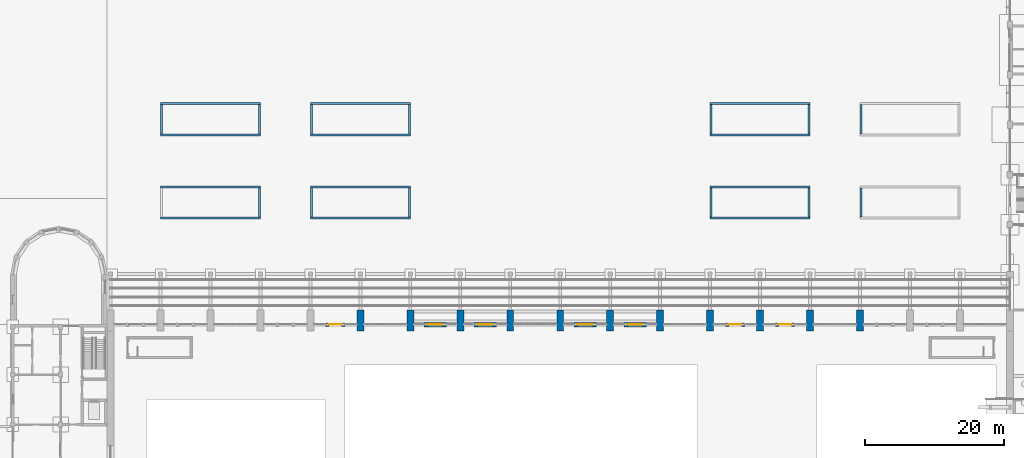
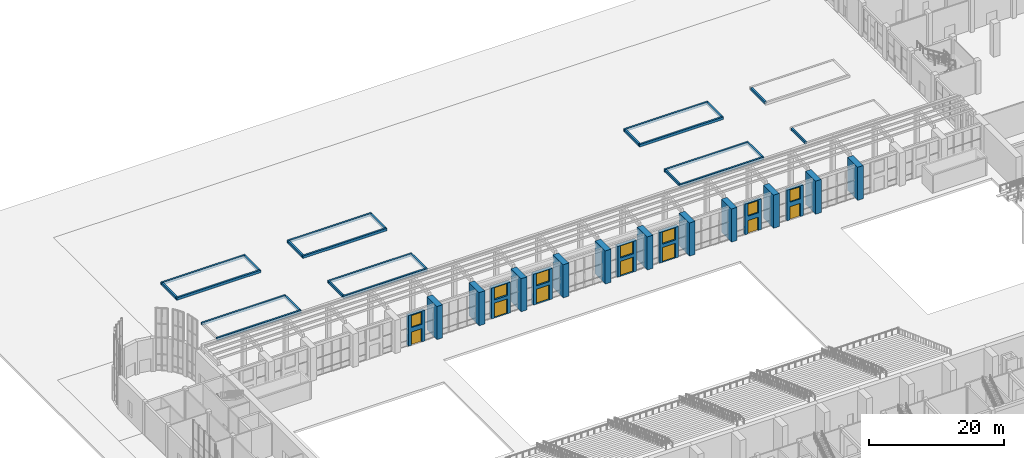
# One storey, part 46 of 70: 43 walls, 7 doors, 7 windows, 14 openings.
"""IFC4 building model written with IfcOpenShell, lengths in metres."""

from ifc_helpers import new_model, si_unit, direction, frame, frame_2d, origin, place, context, subcontext, project, spatial, rectangle, extrude, material, layer, layer_set, type_object, element, fill, save


model = new_model("IFC4")

# Units and contexts
model_context = context("Model", 3, precision=1e-05, world=origin(), true_north=direction((0.0, 1.0)))
body_context = subcontext(model_context, "Body", "Model", "MODEL_VIEW")
ifc_project = project(units=[si_unit("LENGTHUNIT", "METRE"), si_unit("AREAUNIT", "SQUARE_METRE"), si_unit("VOLUMEUNIT", "CUBIC_METRE"), si_unit("PLANEANGLEUNIT", "RADIAN"), si_unit("MASSUNIT", "GRAM", prefix="KILO")], contexts=[model_context])

# Site, building, storey
site_placement = place(None, origin())
site = spatial("IfcSite", under=ifc_project, at=site_placement, CompositionType="ELEMENT")
building_placement = place(site_placement, origin())
building = spatial("IfcBuilding", under=site, at=building_placement, Name="Vermilion Court Aquatics Centre", CompositionType="ELEMENT")
storey_placement = place(building_placement, origin())
storey = spatial("IfcBuildingStorey", under=building, at=storey_placement, Name="L00", CompositionType="ELEMENT", Elevation=0.0)

# Walls
ifc_material_1 = material(Name="Brick masonry", Category="masonry")
ifc_layer_1 = layer(ifc_material_1, 0.300048828125)
ifc_layer_set_1 = layer_set([ifc_layer_1], Name="Court planting kerb 300")
wall_type_1 = type_object("IfcWallType", Name="Court planting kerb 300", PredefinedType="SOLIDWALL", material=ifc_layer_set_1)
for number, where, z_axis, x_axis, name in (
    (1, (21.60009765625, 80.14990234375, 0.0), (0.0, 0.0, 1.0), (1.0, 0.0, 0.0), "Planting bed 1 kerb"),
    (2, (21.60009765625, 84.64990234375, 0.0), (0.0, 0.0, 1.0), (1.0, 0.0, 0.0), "Planting bed 1 kerb"),
):
    element("IfcWall", number, at=place(storey_placement, frame(where, z_axis=z_axis, x_axis=x_axis)), inside=storey, type_object=wall_type_1, Name=name, PredefinedType="SOLIDWALL", context=body_context, shape_type="SweptSolid", body=[
        extrude(rectangle(XDim=14.39990234375, YDim=0.300048828125, at=frame_2d((7.199951171875, 0.0))), origin(), (0.0, 0.0, 1.0), 0.449951171875),
    ])
wall_1_placement = place(storey_placement, frame((35.85009765625, 80.300048828125, 0.0), z_axis=(0.0, 0.0, 1.0), x_axis=(0.0, 1.0, 0.0)))
element("IfcWall", 3, at=wall_1_placement, inside=storey, type_object=wall_type_1, Name="Planting bed 1 kerb", PredefinedType="SOLIDWALL", context=body_context, shape_type="SweptSolid", body=[
    extrude(rectangle(XDim=4.199951171875, YDim=0.300048828125, at=frame_2d((2.10009765625, 0.0))), origin(), (0.0, 0.0, 1.0), 0.449951171875),
])
for number, where, z_axis, x_axis, name in (
    (4, (43.199951171875, 80.14990234375, 0.0), (0.0, 0.0, 1.0), (1.0, 0.0, 0.0), "Planting bed 2 kerb"),
    (5, (43.199951171875, 84.64990234375, 0.0), (0.0, 0.0, 1.0), (1.0, 0.0, 0.0), "Planting bed 2 kerb"),
):
    element("IfcWall", number, at=place(storey_placement, frame(where, z_axis=z_axis, x_axis=x_axis)), inside=storey, type_object=wall_type_1, Name=name, PredefinedType="SOLIDWALL", context=body_context, shape_type="SweptSolid", body=[
        extrude(rectangle(XDim=14.400146484375, YDim=0.300048828125, at=frame_2d((7.2001953125, 0.0))), origin(), (0.0, 0.0, 1.0), 0.449951171875),
    ])
for number, where, z_axis, x_axis, name in (
    (6, (43.35009765625, 80.300048828125, 0.0), (0.0, 0.0, 1.0), (0.0, 1.0, 0.0), "Planting bed 2 kerb"),
    (7, (57.449951171875, 80.300048828125, 0.0), (0.0, 0.0, 1.0), (0.0, 1.0, 0.0), "Planting bed 2 kerb"),
):
    element("IfcWall", number, at=place(storey_placement, frame(where, z_axis=z_axis, x_axis=x_axis)), inside=storey, type_object=wall_type_1, Name=name, PredefinedType="SOLIDWALL", context=body_context, shape_type="SweptSolid", body=[
        extrude(rectangle(XDim=4.199951171875, YDim=0.300048828125, at=frame_2d((2.10009765625, 0.0))), origin(), (0.0, 0.0, 1.0), 0.449951171875),
    ])
for number, where, z_axis, x_axis, name in (
    (8, (100.800048828125, 80.14990234375, 0.0), (0.0, 0.0, 1.0), (1.0, 0.0, 0.0), "Planting bed 3 kerb"),
    (9, (100.800048828125, 84.64990234375, 0.0), (0.0, 0.0, 1.0), (1.0, 0.0, 0.0), "Planting bed 3 kerb"),
):
    element("IfcWall", number, at=place(storey_placement, frame(where, z_axis=z_axis, x_axis=x_axis)), inside=storey, type_object=wall_type_1, Name=name, PredefinedType="SOLIDWALL", context=body_context, shape_type="SweptSolid", body=[
        extrude(rectangle(XDim=14.39990234375, YDim=0.300048828125, at=frame_2d((7.199951171875, 0.0))), origin(), (0.0, 0.0, 1.0), 0.449951171875),
    ])
for number, where, z_axis, x_axis, name in (
    (10, (100.949951171875, 80.300048828125, 0.0), (0.0, 0.0, 1.0), (0.0, 1.0, 0.0), "Planting bed 3 kerb"),
    (11, (115.050048828125, 80.300048828125, 0.0), (0.0, 0.0, 1.0), (0.0, 1.0, 0.0), "Planting bed 3 kerb"),
    (12, (122.550048828125, 80.300048828125, 0.0), (0.0, 0.0, 1.0), (0.0, 1.0, 0.0), "Planting bed 4 kerb"),
):
    element("IfcWall", number, at=place(storey_placement, frame(where, z_axis=z_axis, x_axis=x_axis)), inside=storey, type_object=wall_type_1, Name=name, PredefinedType="SOLIDWALL", context=body_context, shape_type="SweptSolid", body=[
        extrude(rectangle(XDim=4.199951171875, YDim=0.300048828125, at=frame_2d((2.10009765625, 0.0))), origin(), (0.0, 0.0, 1.0), 0.449951171875),
    ])
for number, where, z_axis, x_axis, name in (
    (13, (21.60009765625, 92.14990234375, 0.0), (0.0, 0.0, 1.0), (1.0, 0.0, 0.0), "Planting bed 5 kerb"),
    (14, (21.60009765625, 96.64990234375, 0.0), (0.0, 0.0, 1.0), (1.0, 0.0, 0.0), "Planting bed 5 kerb"),
):
    element("IfcWall", number, at=place(storey_placement, frame(where, z_axis=z_axis, x_axis=x_axis)), inside=storey, type_object=wall_type_1, Name=name, PredefinedType="SOLIDWALL", context=body_context, shape_type="SweptSolid", body=[
        extrude(rectangle(XDim=14.39990234375, YDim=0.300048828125, at=frame_2d((7.199951171875, 0.0))), origin(), (0.0, 0.0, 1.0), 0.449951171875),
    ])
for number, where, z_axis, x_axis, name in (
    (15, (21.75, 92.300048828125, 0.0), (0.0, 0.0, 1.0), (0.0, 1.0, 0.0), "Planting bed 5 kerb"),
    (16, (35.85009765625, 92.300048828125, 0.0), (0.0, 0.0, 1.0), (0.0, 1.0, 0.0), "Planting bed 5 kerb"),
):
    element("IfcWall", number, at=place(storey_placement, frame(where, z_axis=z_axis, x_axis=x_axis)), inside=storey, type_object=wall_type_1, Name=name, PredefinedType="SOLIDWALL", context=body_context, shape_type="SweptSolid", body=[
        extrude(rectangle(XDim=4.199951171875, YDim=0.300048828125, at=frame_2d((2.10009765625, 0.0))), origin(), (0.0, 0.0, 1.0), 0.449951171875),
    ])
for number, where, z_axis, x_axis, name in (
    (17, (43.199951171875, 92.14990234375, 0.0), (0.0, 0.0, 1.0), (1.0, 0.0, 0.0), "Planting bed 6 kerb"),
    (18, (43.199951171875, 96.64990234375, 0.0), (0.0, 0.0, 1.0), (1.0, 0.0, 0.0), "Planting bed 6 kerb"),
):
    element("IfcWall", number, at=place(storey_placement, frame(where, z_axis=z_axis, x_axis=x_axis)), inside=storey, type_object=wall_type_1, Name=name, PredefinedType="SOLIDWALL", context=body_context, shape_type="SweptSolid", body=[
        extrude(rectangle(XDim=14.400146484375, YDim=0.300048828125, at=frame_2d((7.2001953125, 0.0))), origin(), (0.0, 0.0, 1.0), 0.449951171875),
    ])
for number, where, z_axis, x_axis, name in (
    (19, (43.35009765625, 92.300048828125, 0.0), (0.0, 0.0, 1.0), (0.0, 1.0, 0.0), "Planting bed 6 kerb"),
    (20, (57.449951171875, 92.300048828125, 0.0), (0.0, 0.0, 1.0), (0.0, 1.0, 0.0), "Planting bed 6 kerb"),
):
    element("IfcWall", number, at=place(storey_placement, frame(where, z_axis=z_axis, x_axis=x_axis)), inside=storey, type_object=wall_type_1, Name=name, PredefinedType="SOLIDWALL", context=body_context, shape_type="SweptSolid", body=[
        extrude(rectangle(XDim=4.199951171875, YDim=0.300048828125, at=frame_2d((2.10009765625, 0.0))), origin(), (0.0, 0.0, 1.0), 0.449951171875),
    ])
for number, where, z_axis, x_axis, name in (
    (21, (100.800048828125, 92.14990234375, 0.0), (0.0, 0.0, 1.0), (1.0, 0.0, 0.0), "Planting bed 7 kerb"),
    (22, (100.800048828125, 96.64990234375, 0.0), (0.0, 0.0, 1.0), (1.0, 0.0, 0.0), "Planting bed 7 kerb"),
):
    element("IfcWall", number, at=place(storey_placement, frame(where, z_axis=z_axis, x_axis=x_axis)), inside=storey, type_object=wall_type_1, Name=name, PredefinedType="SOLIDWALL", context=body_context, shape_type="SweptSolid", body=[
        extrude(rectangle(XDim=14.39990234375, YDim=0.300048828125, at=frame_2d((7.199951171875, 0.0))), origin(), (0.0, 0.0, 1.0), 0.449951171875),
    ])
for number, where, z_axis, x_axis, name in (
    (23, (100.949951171875, 92.300048828125, 0.0), (0.0, 0.0, 1.0), (0.0, 1.0, 0.0), "Planting bed 7 kerb"),
    (24, (115.050048828125, 92.300048828125, 0.0), (0.0, 0.0, 1.0), (0.0, 1.0, 0.0), "Planting bed 7 kerb"),
    (25, (122.550048828125, 92.300048828125, 0.0), (0.0, 0.0, 1.0), (0.0, 1.0, 0.0), "Planting bed 8 kerb"),
):
    element("IfcWall", number, at=place(storey_placement, frame(where, z_axis=z_axis, x_axis=x_axis)), inside=storey, type_object=wall_type_1, Name=name, PredefinedType="SOLIDWALL", context=body_context, shape_type="SweptSolid", body=[
        extrude(rectangle(XDim=4.199951171875, YDim=0.300048828125, at=frame_2d((2.10009765625, 0.0))), origin(), (0.0, 0.0, 1.0), 0.449951171875),
    ])

# Wall, openings, door, window
ifc_material_2 = material(Name="Brick masonry", Category="masonry")
ifc_layer_2 = layer(ifc_material_2, 0.5)
ifc_layer_set_2 = layer_set([ifc_layer_2], Name="Envelope brick north wall 500")
wall_type_2 = type_object("IfcWallType", Name="Envelope brick north wall 500", PredefinedType="SOLIDWALL", material=ifc_layer_set_2)
wall_2_placement = place(storey_placement, frame((45.39990234375, 64.800048828125, 0.0), z_axis=(0.0, 0.0, 1.0), x_axis=(1.0, 0.0, 0.0)))
wall_2 = element("IfcWall", 26, at=wall_2_placement, inside=storey, type_object=wall_type_2, Name="North wall bay 5 L00", PredefinedType="SOLIDWALL", context=body_context, shape_type="SweptSolid", body=[
    extrude(rectangle(XDim=2.800048828125, YDim=0.5, at=frame_2d((1.39990234375, 0.0))), origin(), (0.0, 0.0, 1.0), 5.550048828125),
])
opening_1_placement = place(wall_2_placement, frame((0.5, 0.0, 0.0)))
opening_1 = element("IfcOpeningElement", 27, at=opening_1_placement, cuts=wall_2, Name="Opening E00-006", PredefinedType="OPENING", context=body_context, shape_type="SweptSolid", body=[
    extrude(rectangle(XDim=1.800048828125, YDim=2.39990234375, at=frame_2d((0.89990234375, 1.199951171875))), frame((0.0, 0.260009765625, 0.0), z_axis=(0.0, -1.0, 0.0), x_axis=(1.0, 0.0, 0.0)), (0.0, 0.0, 1.0), 0.52001953125),
])
opening_2_placement = place(wall_2_placement, frame((0.5, 0.0, 3.199951171875)))
opening_2 = element("IfcOpeningElement", 28, at=opening_2_placement, cuts=wall_2, Name="Opening EF1", PredefinedType="OPENING", context=body_context, shape_type="SweptSolid", body=[
    extrude(rectangle(XDim=1.800048828125, YDim=2.199951171875, at=frame_2d((0.89990234375, 1.10009765625))), frame((0.0, 0.260009765625, 0.0), z_axis=(0.0, -1.0, 0.0), x_axis=(1.0, 0.0, 0.0)), (0.0, 0.0, 1.0), 0.52001953125),
])
ifc_material_3 = material(Name="Hollow metal")
door_type_1 = type_object("IfcDoorType", Name="Envelope exit door pair 1800x2400", OperationType="DOUBLE_DOOR_SINGLE_SWING", PredefinedType="DOOR", material=ifc_material_3)
door_1_placement = place(opening_1_placement, origin())
door_1 = element("IfcDoor", 29, at=door_1_placement, inside=storey, type_object=door_type_1, Name="Exit door E00-006", OperationType="DOUBLE_DOOR_SINGLE_SWING", OverallHeight=2.39990234375, OverallWidth=1.800048828125, PredefinedType="DOOR", context=body_context, shape_type="SweptSolid", body=[
    extrude(rectangle(XDim=1.800048828125, YDim=2.39990234375, at=frame_2d((0.89990234375, 1.199951171875))), frame((0.0, 0.02490234375, 0.0), z_axis=(0.0, -1.0, 0.0), x_axis=(1.0, 0.0, 0.0)), (0.0, 0.0, 1.0), 0.050048828125),
])
fill(opening_1, door_1)
ifc_material_4 = material(Name="Aluminium 6063-T5", Category="aluminium")
window_type_1 = type_object("IfcWindowType", Name="Envelope exit fanlight 1800x2200", PartitioningType="SINGLE_PANEL", PredefinedType="WINDOW", material=ifc_material_4)
window_1_placement = place(opening_2_placement, origin())
window_1 = element("IfcWindow", 30, at=window_1_placement, inside=storey, type_object=window_type_1, Name="Exit fanlight bay 5", OverallHeight=2.199951171875, OverallWidth=1.800048828125, PartitioningType="SINGLE_PANEL", PredefinedType="WINDOW", context=body_context, shape_type="SweptSolid", body=[
    extrude(rectangle(XDim=1.800048828125, YDim=2.199951171875, at=frame_2d((0.89990234375, 1.10009765625))), frame((0.0, 0.030029296875, 0.0), z_axis=(0.0, -1.0, 0.0), x_axis=(1.0, 0.0, 0.0)), (0.0, 0.0, 1.0), 0.06005859375),
])
fill(opening_2, window_1)

wall_3_placement = place(storey_placement, frame((103.0, 64.800048828125, 0.0), z_axis=(0.0, 0.0, 1.0), x_axis=(1.0, 0.0, 0.0)))
wall_3 = element("IfcWall", 31, at=wall_3_placement, inside=storey, type_object=wall_type_2, Name="North wall bay 13 L00", PredefinedType="SOLIDWALL", context=body_context, shape_type="SweptSolid", body=[
    extrude(rectangle(XDim=2.800048828125, YDim=0.5, at=frame_2d((1.39990234375, 0.0))), origin(), (0.0, 0.0, 1.0), 5.550048828125),
])
opening_3_placement = place(wall_3_placement, frame((0.5, 0.0, 0.0)))
opening_3 = element("IfcOpeningElement", 32, at=opening_3_placement, cuts=wall_3, Name="Opening E00-011", PredefinedType="OPENING", context=body_context, shape_type="SweptSolid", body=[
    extrude(rectangle(XDim=1.800048828125, YDim=2.39990234375, at=frame_2d((0.89990234375, 1.199951171875))), frame((0.0, 0.260009765625, 0.0), z_axis=(0.0, -1.0, 0.0), x_axis=(1.0, 0.0, 0.0)), (0.0, 0.0, 1.0), 0.52001953125),
])
opening_4_placement = place(wall_3_placement, frame((0.5, 0.0, 3.199951171875)))
opening_4 = element("IfcOpeningElement", 33, at=opening_4_placement, cuts=wall_3, Name="Opening EF1", PredefinedType="OPENING", context=body_context, shape_type="SweptSolid", body=[
    extrude(rectangle(XDim=1.800048828125, YDim=2.199951171875, at=frame_2d((0.89990234375, 1.10009765625))), frame((0.0, 0.260009765625, 0.0), z_axis=(0.0, -1.0, 0.0), x_axis=(1.0, 0.0, 0.0)), (0.0, 0.0, 1.0), 0.52001953125),
])
door_2_placement = place(opening_3_placement, origin())
door_2 = element("IfcDoor", 34, at=door_2_placement, inside=storey, type_object=door_type_1, Name="Exit door E00-011", OperationType="DOUBLE_DOOR_SINGLE_SWING", OverallHeight=2.39990234375, OverallWidth=1.800048828125, PredefinedType="DOOR", context=body_context, shape_type="SweptSolid", body=[
    extrude(rectangle(XDim=1.800048828125, YDim=2.39990234375, at=frame_2d((0.89990234375, 1.199951171875))), frame((0.0, 0.02490234375, 0.0), z_axis=(0.0, -1.0, 0.0), x_axis=(1.0, 0.0, 0.0)), (0.0, 0.0, 1.0), 0.050048828125),
])
fill(opening_3, door_2)
window_2_placement = place(opening_4_placement, origin())
window_2 = element("IfcWindow", 35, at=window_2_placement, inside=storey, type_object=window_type_1, Name="Exit fanlight bay 13", OverallHeight=2.199951171875, OverallWidth=1.800048828125, PartitioningType="SINGLE_PANEL", PredefinedType="WINDOW", context=body_context, shape_type="SweptSolid", body=[
    extrude(rectangle(XDim=1.800048828125, YDim=2.199951171875, at=frame_2d((0.89990234375, 1.10009765625))), frame((0.0, 0.030029296875, 0.0), z_axis=(0.0, -1.0, 0.0), x_axis=(1.0, 0.0, 0.0)), (0.0, 0.0, 1.0), 0.06005859375),
])
fill(opening_4, window_2)

wall_4_placement = place(storey_placement, frame((110.199951171875, 64.800048828125, 0.0), z_axis=(0.0, 0.0, 1.0), x_axis=(1.0, 0.0, 0.0)))
wall_4 = element("IfcWall", 36, at=wall_4_placement, inside=storey, type_object=wall_type_2, Name="North wall bay 14 L00", PredefinedType="SOLIDWALL", context=body_context, shape_type="SweptSolid", body=[
    extrude(rectangle(XDim=2.800048828125, YDim=0.5, at=frame_2d((1.39990234375, 0.0))), origin(), (0.0, 0.0, 1.0), 5.550048828125),
])
opening_5_placement = place(wall_4_placement, frame((0.5, 0.0, 0.0)))
opening_5 = element("IfcOpeningElement", 37, at=opening_5_placement, cuts=wall_4, Name="Opening E00-012", PredefinedType="OPENING", context=body_context, shape_type="SweptSolid", body=[
    extrude(rectangle(XDim=1.800048828125, YDim=2.39990234375, at=frame_2d((0.89990234375, 1.199951171875))), frame((0.0, 0.260009765625, 0.0), z_axis=(0.0, -1.0, 0.0), x_axis=(1.0, 0.0, 0.0)), (0.0, 0.0, 1.0), 0.52001953125),
])
opening_6_placement = place(wall_4_placement, frame((0.5, 0.0, 3.199951171875)))
opening_6 = element("IfcOpeningElement", 38, at=opening_6_placement, cuts=wall_4, Name="Opening EF1", PredefinedType="OPENING", context=body_context, shape_type="SweptSolid", body=[
    extrude(rectangle(XDim=1.800048828125, YDim=2.199951171875, at=frame_2d((0.89990234375, 1.10009765625))), frame((0.0, 0.260009765625, 0.0), z_axis=(0.0, -1.0, 0.0), x_axis=(1.0, 0.0, 0.0)), (0.0, 0.0, 1.0), 0.52001953125),
])
door_3_placement = place(opening_5_placement, origin())
door_3 = element("IfcDoor", 39, at=door_3_placement, inside=storey, type_object=door_type_1, Name="Exit door E00-012", OperationType="DOUBLE_DOOR_SINGLE_SWING", OverallHeight=2.39990234375, OverallWidth=1.800048828125, PredefinedType="DOOR", context=body_context, shape_type="SweptSolid", body=[
    extrude(rectangle(XDim=1.800048828125, YDim=2.39990234375, at=frame_2d((0.89990234375, 1.199951171875))), frame((0.0, 0.02490234375, 0.0), z_axis=(0.0, -1.0, 0.0), x_axis=(1.0, 0.0, 0.0)), (0.0, 0.0, 1.0), 0.050048828125),
])
fill(opening_5, door_3)
window_3_placement = place(opening_6_placement, origin())
window_3 = element("IfcWindow", 40, at=window_3_placement, inside=storey, type_object=window_type_1, Name="Exit fanlight bay 14", OverallHeight=2.199951171875, OverallWidth=1.800048828125, PartitioningType="SINGLE_PANEL", PredefinedType="WINDOW", context=body_context, shape_type="SweptSolid", body=[
    extrude(rectangle(XDim=1.800048828125, YDim=2.199951171875, at=frame_2d((0.89990234375, 1.10009765625))), frame((0.0, 0.030029296875, 0.0), z_axis=(0.0, -1.0, 0.0), x_axis=(1.0, 0.0, 0.0)), (0.0, 0.0, 1.0), 0.06005859375),
])
fill(opening_6, window_3)

# Wall, openings, window, door
ifc_material_5 = material(Name="Brick masonry", Category="masonry")
ifc_layer_3 = layer(ifc_material_5, 0.60009765625)
ifc_layer_set_3 = layer_set([ifc_layer_3], Name="Envelope brick portal wall 600")
wall_type_3 = type_object("IfcWallType", Name="Envelope brick portal wall 600", PredefinedType="SOLIDWALL", material=ifc_layer_set_3)
wall_5_placement = place(storey_placement, frame((59.60009765625, 64.800048828125, 0.0), z_axis=(0.0, 0.0, 1.0), x_axis=(1.0, 0.0, 0.0)))
wall_5 = element("IfcWall", 41, at=wall_5_placement, inside=storey, type_object=wall_type_3, Name="North wall bay 7 L00", PredefinedType="SOLIDWALL", context=body_context, shape_type="SweptSolid", body=[
    extrude(rectangle(XDim=3.199951171875, YDim=0.60009765625, at=frame_2d((1.60009765625, 0.0))), origin(), (0.0, 0.0, 1.0), 5.550048828125),
])
opening_7_placement = place(wall_5_placement, frame((0.5, 0.0, 0.0)))
opening_7 = element("IfcOpeningElement", 42, at=opening_7_placement, cuts=wall_5, Name="Opening E00-007", PredefinedType="OPENING", context=body_context, shape_type="SweptSolid", body=[
    extrude(rectangle(XDim=2.199951171875, YDim=2.699951171875, at=frame_2d((1.10009765625, 1.35009765625))), frame((0.0, 0.31005859375, 0.0), z_axis=(0.0, -1.0, 0.0), x_axis=(1.0, 0.0, 0.0)), (0.0, 0.0, 1.0), 0.6201171875),
])
opening_8_placement = place(wall_5_placement, frame((0.5, 0.0, 3.300048828125)))
opening_8 = element("IfcOpeningElement", 43, at=opening_8_placement, cuts=wall_5, Name="Opening EF2", PredefinedType="OPENING", context=body_context, shape_type="SweptSolid", body=[
    extrude(rectangle(XDim=2.199951171875, YDim=2.199951171875, at=frame_2d((1.10009765625, 1.10009765625))), frame((0.0, 0.31005859375, 0.0), z_axis=(0.0, -1.0, 0.0), x_axis=(1.0, 0.0, 0.0)), (0.0, 0.0, 1.0), 0.6201171875),
])
ifc_material_6 = material(Name="Aluminium 6063-T5", Category="aluminium")
window_type_2 = type_object("IfcWindowType", Name="Envelope entrance fanlight 2200x2200", PartitioningType="SINGLE_PANEL", PredefinedType="WINDOW", material=ifc_material_6)
window_4_placement = place(opening_8_placement, origin())
window_4 = element("IfcWindow", 44, at=window_4_placement, inside=storey, type_object=window_type_2, Name="Exit fanlight bay 7", OverallHeight=2.199951171875, OverallWidth=2.199951171875, PartitioningType="SINGLE_PANEL", PredefinedType="WINDOW", context=body_context, shape_type="SweptSolid", body=[
    extrude(rectangle(XDim=2.199951171875, YDim=2.199951171875, at=frame_2d((1.10009765625, 1.10009765625))), frame((0.0, 0.030029296875, 0.0), z_axis=(0.0, -1.0, 0.0), x_axis=(1.0, 0.0, 0.0)), (0.0, 0.0, 1.0), 0.06005859375),
])
fill(opening_8, window_4)
ifc_material_7 = material(Name="Hollow metal")
door_type_2 = type_object("IfcDoorType", Name="Envelope main entrance door pair 2200x2700", OperationType="DOUBLE_DOOR_SINGLE_SWING", PredefinedType="DOOR", material=ifc_material_7)
door_4_placement = place(opening_7_placement, origin())
door_4 = element("IfcDoor", 45, at=door_4_placement, inside=storey, type_object=door_type_2, Name="Exit door E00-007", OperationType="DOUBLE_DOOR_SINGLE_SWING", OverallHeight=2.699951171875, OverallWidth=2.199951171875, PredefinedType="DOOR", context=body_context, shape_type="SweptSolid", body=[
    extrude(rectangle(XDim=2.199951171875, YDim=2.699951171875, at=frame_2d((1.10009765625, 1.35009765625))), frame((0.0, 0.02490234375, 0.0), z_axis=(0.0, -1.0, 0.0), x_axis=(1.0, 0.0, 0.0)), (0.0, 0.0, 1.0), 0.050048828125),
])
fill(opening_7, door_4)

wall_6_placement = place(storey_placement, frame((66.800048828125, 64.800048828125, 0.0), z_axis=(0.0, 0.0, 1.0), x_axis=(1.0, 0.0, 0.0)))
wall_6 = element("IfcWall", 46, at=wall_6_placement, inside=storey, type_object=wall_type_3, Name="North wall bay 8 L00", PredefinedType="SOLIDWALL", context=body_context, shape_type="SweptSolid", body=[
    extrude(rectangle(XDim=3.199951171875, YDim=0.60009765625, at=frame_2d((1.60009765625, 0.0))), origin(), (0.0, 0.0, 1.0), 5.550048828125),
])
opening_9_placement = place(wall_6_placement, frame((0.5, 0.0, 0.0)))
opening_9 = element("IfcOpeningElement", 47, at=opening_9_placement, cuts=wall_6, Name="Opening E00-008", PredefinedType="OPENING", context=body_context, shape_type="SweptSolid", body=[
    extrude(rectangle(XDim=2.199951171875, YDim=2.699951171875, at=frame_2d((1.10009765625, 1.35009765625))), frame((0.0, 0.31005859375, 0.0), z_axis=(0.0, -1.0, 0.0), x_axis=(1.0, 0.0, 0.0)), (0.0, 0.0, 1.0), 0.6201171875),
])
opening_10_placement = place(wall_6_placement, frame((0.5, 0.0, 3.300048828125)))
opening_10 = element("IfcOpeningElement", 48, at=opening_10_placement, cuts=wall_6, Name="Opening EF2", PredefinedType="OPENING", context=body_context, shape_type="SweptSolid", body=[
    extrude(rectangle(XDim=2.199951171875, YDim=2.199951171875, at=frame_2d((1.10009765625, 1.10009765625))), frame((0.0, 0.31005859375, 0.0), z_axis=(0.0, -1.0, 0.0), x_axis=(1.0, 0.0, 0.0)), (0.0, 0.0, 1.0), 0.6201171875),
])
window_5_placement = place(opening_10_placement, origin())
window_5 = element("IfcWindow", 49, at=window_5_placement, inside=storey, type_object=window_type_2, Name="Exit fanlight bay 8", OverallHeight=2.199951171875, OverallWidth=2.199951171875, PartitioningType="SINGLE_PANEL", PredefinedType="WINDOW", context=body_context, shape_type="SweptSolid", body=[
    extrude(rectangle(XDim=2.199951171875, YDim=2.199951171875, at=frame_2d((1.10009765625, 1.10009765625))), frame((0.0, 0.030029296875, 0.0), z_axis=(0.0, -1.0, 0.0), x_axis=(1.0, 0.0, 0.0)), (0.0, 0.0, 1.0), 0.06005859375),
])
fill(opening_10, window_5)
door_5_placement = place(opening_9_placement, origin())
door_5 = element("IfcDoor", 50, at=door_5_placement, inside=storey, type_object=door_type_2, Name="Exit door E00-008", OperationType="DOUBLE_DOOR_SINGLE_SWING", OverallHeight=2.699951171875, OverallWidth=2.199951171875, PredefinedType="DOOR", context=body_context, shape_type="SweptSolid", body=[
    extrude(rectangle(XDim=2.199951171875, YDim=2.699951171875, at=frame_2d((1.10009765625, 1.35009765625))), frame((0.0, 0.02490234375, 0.0), z_axis=(0.0, -1.0, 0.0), x_axis=(1.0, 0.0, 0.0)), (0.0, 0.0, 1.0), 0.050048828125),
])
fill(opening_9, door_5)

wall_7_placement = place(storey_placement, frame((81.199951171875, 64.800048828125, 0.0), z_axis=(0.0, 0.0, 1.0), x_axis=(1.0, 0.0, 0.0)))
wall_7 = element("IfcWall", 51, at=wall_7_placement, inside=storey, type_object=wall_type_3, Name="North wall bay 10 L00", PredefinedType="SOLIDWALL", context=body_context, shape_type="SweptSolid", body=[
    extrude(rectangle(XDim=3.199951171875, YDim=0.60009765625, at=frame_2d((1.60009765625, 0.0))), origin(), (0.0, 0.0, 1.0), 5.550048828125),
])
opening_11_placement = place(wall_7_placement, frame((0.5, 0.0, 0.0)))
opening_11 = element("IfcOpeningElement", 52, at=opening_11_placement, cuts=wall_7, Name="Opening E00-009", PredefinedType="OPENING", context=body_context, shape_type="SweptSolid", body=[
    extrude(rectangle(XDim=2.199951171875, YDim=2.699951171875, at=frame_2d((1.10009765625, 1.35009765625))), frame((0.0, 0.31005859375, 0.0), z_axis=(0.0, -1.0, 0.0), x_axis=(1.0, 0.0, 0.0)), (0.0, 0.0, 1.0), 0.6201171875),
])
opening_12_placement = place(wall_7_placement, frame((0.5, 0.0, 3.300048828125)))
opening_12 = element("IfcOpeningElement", 53, at=opening_12_placement, cuts=wall_7, Name="Opening EF2", PredefinedType="OPENING", context=body_context, shape_type="SweptSolid", body=[
    extrude(rectangle(XDim=2.199951171875, YDim=2.199951171875, at=frame_2d((1.10009765625, 1.10009765625))), frame((0.0, 0.31005859375, 0.0), z_axis=(0.0, -1.0, 0.0), x_axis=(1.0, 0.0, 0.0)), (0.0, 0.0, 1.0), 0.6201171875),
])
window_6_placement = place(opening_12_placement, origin())
window_6 = element("IfcWindow", 54, at=window_6_placement, inside=storey, type_object=window_type_2, Name="Exit fanlight bay 10", OverallHeight=2.199951171875, OverallWidth=2.199951171875, PartitioningType="SINGLE_PANEL", PredefinedType="WINDOW", context=body_context, shape_type="SweptSolid", body=[
    extrude(rectangle(XDim=2.199951171875, YDim=2.199951171875, at=frame_2d((1.10009765625, 1.10009765625))), frame((0.0, 0.030029296875, 0.0), z_axis=(0.0, -1.0, 0.0), x_axis=(1.0, 0.0, 0.0)), (0.0, 0.0, 1.0), 0.06005859375),
])
fill(opening_12, window_6)
door_6_placement = place(opening_11_placement, origin())
door_6 = element("IfcDoor", 55, at=door_6_placement, inside=storey, type_object=door_type_2, Name="Exit door E00-009", OperationType="DOUBLE_DOOR_SINGLE_SWING", OverallHeight=2.699951171875, OverallWidth=2.199951171875, PredefinedType="DOOR", context=body_context, shape_type="SweptSolid", body=[
    extrude(rectangle(XDim=2.199951171875, YDim=2.699951171875, at=frame_2d((1.10009765625, 1.35009765625))), frame((0.0, 0.02490234375, 0.0), z_axis=(0.0, -1.0, 0.0), x_axis=(1.0, 0.0, 0.0)), (0.0, 0.0, 1.0), 0.050048828125),
])
fill(opening_11, door_6)

wall_8_placement = place(storey_placement, frame((88.39990234375, 64.800048828125, 0.0), z_axis=(0.0, 0.0, 1.0), x_axis=(1.0, 0.0, 0.0)))
wall_8 = element("IfcWall", 56, at=wall_8_placement, inside=storey, type_object=wall_type_3, Name="North wall bay 11 L00", PredefinedType="SOLIDWALL", context=body_context, shape_type="SweptSolid", body=[
    extrude(rectangle(XDim=3.2001953125, YDim=0.60009765625, at=frame_2d((1.60009765625, 0.0))), origin(), (0.0, 0.0, 1.0), 5.550048828125),
])
opening_13_placement = place(wall_8_placement, frame((0.5, 0.0, 0.0)))
opening_13 = element("IfcOpeningElement", 57, at=opening_13_placement, cuts=wall_8, Name="Opening E00-010", PredefinedType="OPENING", context=body_context, shape_type="SweptSolid", body=[
    extrude(rectangle(XDim=2.199951171875, YDim=2.699951171875, at=frame_2d((1.10009765625, 1.35009765625))), frame((0.0, 0.31005859375, 0.0), z_axis=(0.0, -1.0, 0.0), x_axis=(1.0, 0.0, 0.0)), (0.0, 0.0, 1.0), 0.6201171875),
])
opening_14_placement = place(wall_8_placement, frame((0.5, 0.0, 3.300048828125)))
opening_14 = element("IfcOpeningElement", 58, at=opening_14_placement, cuts=wall_8, Name="Opening EF2", PredefinedType="OPENING", context=body_context, shape_type="SweptSolid", body=[
    extrude(rectangle(XDim=2.199951171875, YDim=2.199951171875, at=frame_2d((1.10009765625, 1.10009765625))), frame((0.0, 0.31005859375, 0.0), z_axis=(0.0, -1.0, 0.0), x_axis=(1.0, 0.0, 0.0)), (0.0, 0.0, 1.0), 0.6201171875),
])
window_7_placement = place(opening_14_placement, origin())
window_7 = element("IfcWindow", 59, at=window_7_placement, inside=storey, type_object=window_type_2, Name="Exit fanlight bay 11", OverallHeight=2.199951171875, OverallWidth=2.199951171875, PartitioningType="SINGLE_PANEL", PredefinedType="WINDOW", context=body_context, shape_type="SweptSolid", body=[
    extrude(rectangle(XDim=2.199951171875, YDim=2.199951171875, at=frame_2d((1.10009765625, 1.10009765625))), frame((0.0, 0.030029296875, 0.0), z_axis=(0.0, -1.0, 0.0), x_axis=(1.0, 0.0, 0.0)), (0.0, 0.0, 1.0), 0.06005859375),
])
fill(opening_14, window_7)
door_7_placement = place(opening_13_placement, origin())
door_7 = element("IfcDoor", 60, at=door_7_placement, inside=storey, type_object=door_type_2, Name="Exit door E00-010", OperationType="DOUBLE_DOOR_SINGLE_SWING", OverallHeight=2.699951171875, OverallWidth=2.199951171875, PredefinedType="DOOR", context=body_context, shape_type="SweptSolid", body=[
    extrude(rectangle(XDim=2.199951171875, YDim=2.699951171875, at=frame_2d((1.10009765625, 1.35009765625))), frame((0.0, 0.02490234375, 0.0), z_axis=(0.0, -1.0, 0.0), x_axis=(1.0, 0.0, 0.0)), (0.0, 0.0, 1.0), 0.050048828125),
])
fill(opening_13, door_7)

# Walls
ifc_material_8 = material(Name="Concrete 5000 psi", Category="concrete")
ifc_layer_4 = layer(ifc_material_8, 1.0)
ifc_layer_set_4 = layer_set([ifc_layer_4], Name="Roof buttress pier")
wall_type_4 = type_object("IfcWallType", Name="Roof buttress pier", PredefinedType="SOLIDWALL", material=ifc_layer_set_4)
for number, where, z_axis, x_axis, name in (
    (61, (50.39990234375, 63.89990234375, 0.0), (0.0, 0.0, 1.0), (0.0, 1.0, 0.0), "Buttress pier BPN06"),
    (62, (57.60009765625, 63.89990234375, 0.0), (0.0, 0.0, 1.0), (0.0, 1.0, 0.0), "Buttress pier BPN07"),
    (63, (64.800048828125, 63.89990234375, 0.0), (0.0, 0.0, 1.0), (0.0, 1.0, 0.0), "Buttress pier BPN08"),
    (64, (72.0, 63.89990234375, 0.0), (0.0, 0.0, 1.0), (0.0, 1.0, 0.0), "Buttress pier BPN09"),
    (65, (79.199951171875, 63.89990234375, 0.0), (0.0, 0.0, 1.0), (0.0, 1.0, 0.0), "Buttress pier BPN10"),
    (66, (86.39990234375, 63.89990234375, 0.0), (0.0, 0.0, 1.0), (0.0, 1.0, 0.0), "Buttress pier BPN11"),
    (67, (93.60009765625, 63.89990234375, 0.0), (0.0, 0.0, 1.0), (0.0, 1.0, 0.0), "Buttress pier BPN12"),
    (68, (100.800048828125, 63.89990234375, 0.0), (0.0, 0.0, 1.0), (0.0, 1.0, 0.0), "Buttress pier BPN13"),
    (69, (108.0, 63.89990234375, 0.0), (0.0, 0.0, 1.0), (0.0, 1.0, 0.0), "Buttress pier BPN14"),
    (70, (115.199951171875, 63.89990234375, 0.0), (0.0, 0.0, 1.0), (0.0, 1.0, 0.0), "Buttress pier BPN15"),
    (71, (122.39990234375, 63.89990234375, 0.0), (0.0, 0.0, 1.0), (0.0, 1.0, 0.0), "Buttress pier BPN16"),
):
    element("IfcWall", number, at=place(storey_placement, frame(where, z_axis=z_axis, x_axis=x_axis)), inside=storey, type_object=wall_type_4, Name=name, PredefinedType="SOLIDWALL", context=body_context, shape_type="SweptSolid", body=[
        extrude(rectangle(XDim=3.0, YDim=1.0, at=frame_2d((1.5, 0.0))), origin(), (0.0, 0.0, 1.0), 6.0),
    ])

save(model, "model.ifc")
